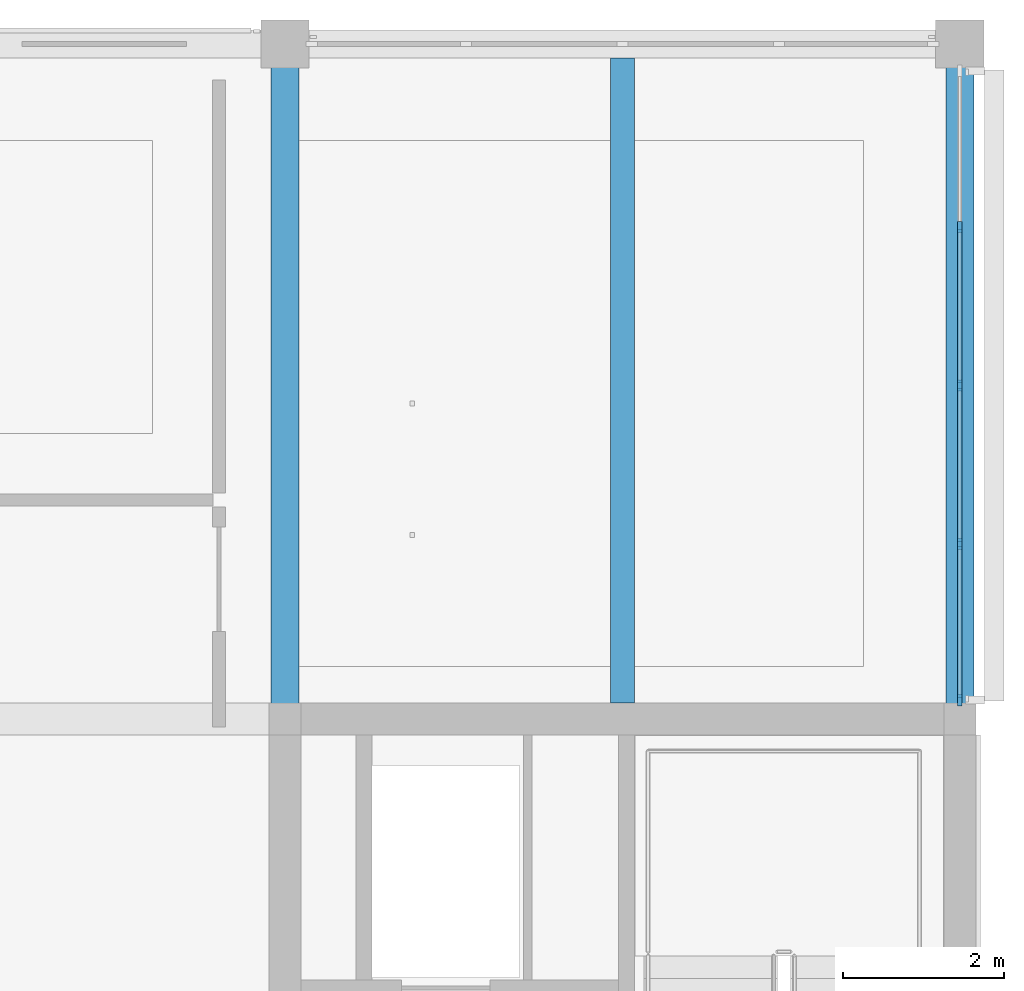
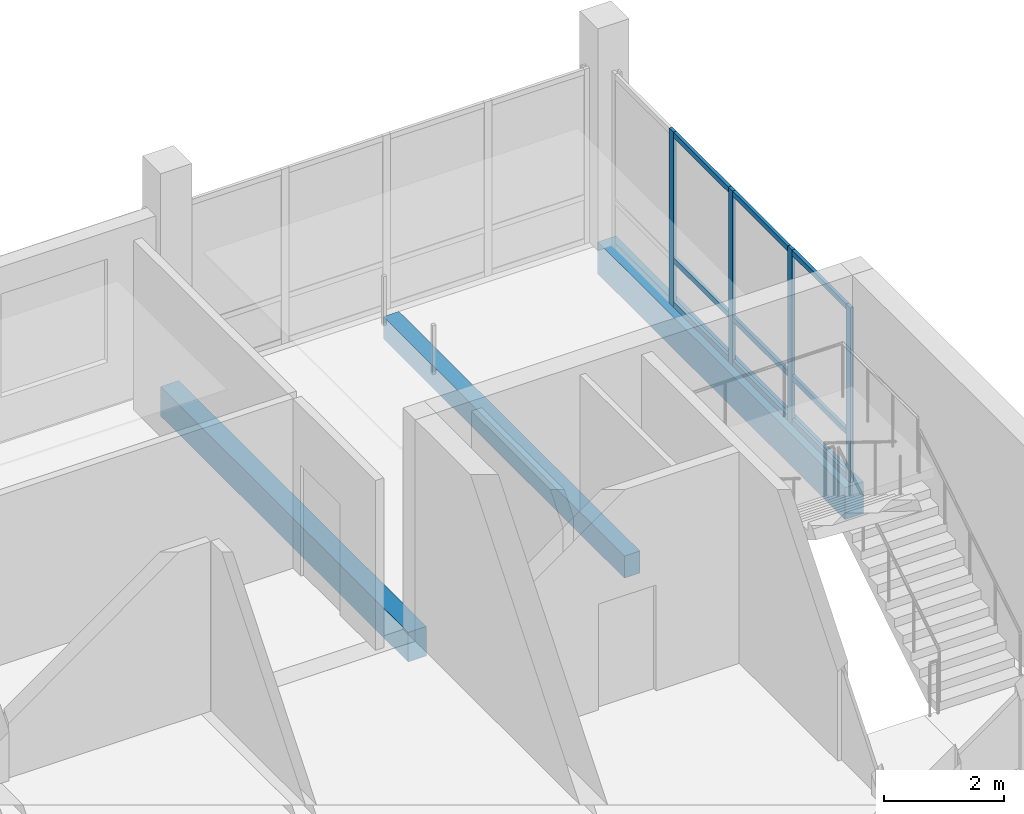
# One storey, part 7 of 29: 13 members, 3 beams, 1 element without a shape of its own.
"""IFC4 building model written with IfcOpenShell, lengths in metres."""

from ifc_helpers import new_model, si_unit, direction, frame, origin, origin_2d, place, context, subcontext, project, spatial, rectangle, extrude, material, layer, layer_set, material_profile, profile_set, type_object, element, aggregate, save


model = new_model("IFC4")

# Units and contexts
model_context = context("Model", 3, precision=1e-05, world=origin(), true_north=direction((0.0, 1.0)))
body_context = subcontext(model_context, "Body", "Model", "MODEL_VIEW")
ifc_project = project(units=[si_unit("LENGTHUNIT", "METRE"), si_unit("AREAUNIT", "SQUARE_METRE"), si_unit("VOLUMEUNIT", "CUBIC_METRE"), si_unit("PLANEANGLEUNIT", "RADIAN"), si_unit("MASSUNIT", "GRAM", prefix="KILO")], contexts=[model_context])

# Site, building, storey
site_placement = place(None, origin())
site = spatial("IfcSite", under=ifc_project, at=site_placement, CompositionType="ELEMENT")
building_placement = place(site_placement, origin())
building = spatial("IfcBuilding", under=site, at=building_placement, Name="Telukmera Botanical Conservatory", CompositionType="ELEMENT")
storey_placement = place(building_placement, frame((0.0, 0.0, 55.5)))
storey = spatial("IfcBuildingStorey", under=building, at=storey_placement, Name="L12", CompositionType="ELEMENT", Elevation=55.5)

# Beams
ifc_material_1 = material(Name="Concrete C40/50", Category="concrete")
ifc_material_profile_1 = material_profile(ifc_material_1, rectangle(XDim=0.300048828125, YDim=0.449951171875, at=origin_2d()), Name="RC 300x450")
ifc_profile_set_1 = profile_set([ifc_material_profile_1], Name="Concrete C40/50")
beam_type_1 = type_object("IfcBeamType", Name="Beam_B25", PredefinedType="JOIST", material=ifc_profile_set_1)
beam_1_placement = place(storey_placement, frame((96.60009765625, 34.60009765625, -0.22509765625), z_axis=(0.0, 1.0, 0.0), x_axis=(-1.0, 0.0, 0.0)))
element("IfcBeam", 1, at=beam_1_placement, inside=storey, type_object=beam_type_1, Name="Tower Secondary Floor Joist L12", PredefinedType="JOIST", context=body_context, shape_type="SweptSolid", body=[
    extrude(rectangle(XDim=0.300048828125, YDim=0.449951171875, at=origin_2d()), origin(), (0.0, 0.0, 1.0), 8.02490234375),
])
ifc_material_profile_2 = material_profile(ifc_material_1, rectangle(XDim=0.35009765625, YDim=0.60009765625, at=origin_2d()), Name="RC 350x600")
ifc_profile_set_2 = profile_set([ifc_material_profile_2], Name="Concrete C40/50")
beam_type_2 = type_object("IfcBeamType", Name="Beam_B9", PredefinedType="BEAM", material=ifc_profile_set_2)
beam_2_placement = place(storey_placement, frame((92.39990234375, 34.47998046875, -0.300048828125), z_axis=(0.0, 1.0, 0.0), x_axis=(-1.0, 0.0, 0.0)))
element("IfcBeam", 2, at=beam_2_placement, inside=storey, type_object=beam_type_2, Name="Tower Transverse Beam L12", PredefinedType="BEAM", context=body_context, shape_type="SweptSolid", body=[
    extrude(rectangle(XDim=0.35009765625, YDim=0.60009765625, at=origin_2d()), origin(), (0.0, 0.0, 1.0), 8.239990234375),
])
ifc_material_2 = material(Name="Precast concrete C40/50", Category="concrete")
ifc_material_profile_3 = material_profile(ifc_material_2, rectangle(XDim=0.35009765625, YDim=0.64990234375, at=origin_2d()), Name="PC 350x650")
ifc_profile_set_3 = profile_set([ifc_material_profile_3], Name="Precast concrete C40/50")
beam_type_3 = type_object("IfcBeamType", Name="Beam_SP3", PredefinedType="SPANDREL", material=ifc_profile_set_3)
beam_3_placement = place(storey_placement, frame((100.800048828125, 34.47998046875, -0.324951171875), z_axis=(0.0, 1.0, 0.0), x_axis=(-1.0, 0.0, 0.0)))
element("IfcBeam", 3, at=beam_3_placement, inside=storey, type_object=beam_type_3, Name="Tower Transverse Beam L12", PredefinedType="SPANDREL", context=body_context, shape_type="SweptSolid", body=[
    extrude(rectangle(XDim=0.35009765625, YDim=0.64990234375, at=origin_2d()), origin(), (0.0, 0.0, 1.0), 8.239990234375),
])

# Curtain wall, members
ifc_material_3 = material(Name="Anodised aluminium 6063-T6", Category="aluminium")
ifc_layer = layer(ifc_material_3, 0.179931640625)
ifc_layer_set = layer_set([ifc_layer], Name="Anodised aluminium 6063-T6")
curtain_wall_type = type_object("IfcCurtainWallType", Name="Tower Research Laboratory Unitised Curtain Wall", PredefinedType="USERDEFINED", material=ifc_layer_set)
curtain_wall_placement = place(storey_placement, origin())
curtain_wall = element("IfcCurtainWall", 4, at=curtain_wall_placement, inside=storey, type_object=curtain_wall_type, Name="Unitised Curtain Wall CW15 V4:L12:E4", ObjectType="UNITISED CURTAIN WALL", PredefinedType="USERDEFINED")
ifc_material_profile_4 = material_profile(ifc_material_3, rectangle(XDim=0.06005859375, YDim=0.139892578125, at=origin_2d()), Name="ALU MULL 60x140")
ifc_profile_set_4 = profile_set([ifc_material_profile_4], Name="Anodised aluminium 6063-T6")
member_type_1 = type_object("IfcMemberType", Name="Curtain Wall Extruded Mullion 60x140", PredefinedType="MULLION", material=ifc_profile_set_4)
member_1_placement = place(storey_placement, frame((100.800048828125, 34.632080078125, 0.0), z_axis=(0.0, 0.0, 1.0), x_axis=(-1.0, 0.0, 0.0)))
member_1 = element("IfcMember", 5, at=member_1_placement, type_object=member_type_1, Name="CW15 mullion 1", PredefinedType="MULLION", context=body_context, shape_type="SweptSolid", body=[
    extrude(rectangle(XDim=0.06005859375, YDim=0.139892578125, at=origin_2d()), origin(), (0.0, 0.0, 1.0), 3.550048828125),
])
member_2_placement = place(storey_placement, frame((100.800048828125, 36.575927734375, 0.0), z_axis=(0.0, 0.0, 1.0), x_axis=(-1.0, 0.0, 0.0)))
member_2 = element("IfcMember", 6, at=member_2_placement, type_object=member_type_1, Name="CW15 mullion 2", PredefinedType="MULLION", context=body_context, shape_type="SweptSolid", body=[
    extrude(rectangle(XDim=0.06005859375, YDim=0.139892578125, at=origin_2d()), origin(), (0.0, 0.0, 1.0), 3.550048828125),
])
member_3_placement = place(storey_placement, frame((100.800048828125, 38.550048828125, 0.0), z_axis=(0.0, 0.0, 1.0), x_axis=(-1.0, 0.0, 0.0)))
member_3 = element("IfcMember", 7, at=member_3_placement, type_object=member_type_1, Name="CW15 mullion 3", PredefinedType="MULLION", context=body_context, shape_type="SweptSolid", body=[
    extrude(rectangle(XDim=0.06005859375, YDim=0.139892578125, at=origin_2d()), origin(), (0.0, 0.0, 1.0), 3.550048828125),
])
member_4_placement = place(storey_placement, frame((100.800048828125, 40.52392578125, 0.0), z_axis=(0.0, 0.0, 1.0), x_axis=(-1.0, 0.0, 0.0)))
member_4 = element("IfcMember", 8, at=member_4_placement, type_object=member_type_1, Name="CW15 mullion 4", PredefinedType="MULLION", context=body_context, shape_type="SweptSolid", body=[
    extrude(rectangle(XDim=0.06005859375, YDim=0.139892578125, at=origin_2d()), origin(), (0.0, 0.0, 1.0), 3.550048828125),
])
ifc_material_profile_5 = material_profile(ifc_material_3, rectangle(XDim=0.06005859375, YDim=0.110107421875, at=origin_2d()), Name="ALU TRAN 60x110")
ifc_profile_set_5 = profile_set([ifc_material_profile_5], Name="Anodised aluminium 6063-T6")
member_type_2 = type_object("IfcMemberType", Name="Curtain Wall Extruded Transom 60x110", PredefinedType="USERDEFINED", material=ifc_profile_set_5)
member_5_placement = place(storey_placement, frame((100.800048828125, 34.662109375, 0.054931640625), z_axis=(0.0, 1.0, 0.0), x_axis=(-1.0, 0.0, 0.0)))
member_5 = element("IfcMember", 9, at=member_5_placement, type_object=member_type_2, Name="CW15 transom 1.1", ObjectType="TRANSOM", PredefinedType="USERDEFINED", context=body_context, shape_type="SweptSolid", body=[
    extrude(rectangle(XDim=0.06005859375, YDim=0.110107421875, at=origin_2d()), origin(), (0.0, 0.0, 1.0), 1.8837890625),
])
member_6_placement = place(storey_placement, frame((100.800048828125, 34.662109375, 0.949951171875), z_axis=(0.0, 1.0, 0.0), x_axis=(-1.0, 0.0, 0.0)))
member_6 = element("IfcMember", 10, at=member_6_placement, type_object=member_type_2, Name="CW15 transom 1.2", ObjectType="TRANSOM", PredefinedType="USERDEFINED", context=body_context, shape_type="SweptSolid", body=[
    extrude(rectangle(XDim=0.06005859375, YDim=0.110107421875, at=origin_2d()), origin(), (0.0, 0.0, 1.0), 1.8837890625),
])
member_7_placement = place(storey_placement, frame((100.800048828125, 34.662109375, 3.4951171875), z_axis=(0.0, 1.0, 0.0), x_axis=(-1.0, 0.0, 0.0)))
member_7 = element("IfcMember", 11, at=member_7_placement, type_object=member_type_2, Name="CW15 transom 1.3", ObjectType="TRANSOM", PredefinedType="USERDEFINED", context=body_context, shape_type="SweptSolid", body=[
    extrude(rectangle(XDim=0.06005859375, YDim=0.110107421875, at=origin_2d()), origin(), (0.0, 0.0, 1.0), 1.8837890625),
])
member_8_placement = place(storey_placement, frame((100.800048828125, 36.60595703125, 0.054931640625), z_axis=(0.0, 1.0, 0.0), x_axis=(-1.0, 0.0, 0.0)))
member_8 = element("IfcMember", 12, at=member_8_placement, type_object=member_type_2, Name="CW15 transom 2.1", ObjectType="TRANSOM", PredefinedType="USERDEFINED", context=body_context, shape_type="SweptSolid", body=[
    extrude(rectangle(XDim=0.06005859375, YDim=0.110107421875, at=origin_2d()), origin(), (0.0, 0.0, 1.0), 1.9140625),
])
member_9_placement = place(storey_placement, frame((100.800048828125, 36.60595703125, 0.949951171875), z_axis=(0.0, 1.0, 0.0), x_axis=(-1.0, 0.0, 0.0)))
member_9 = element("IfcMember", 13, at=member_9_placement, type_object=member_type_2, Name="CW15 transom 2.2", ObjectType="TRANSOM", PredefinedType="USERDEFINED", context=body_context, shape_type="SweptSolid", body=[
    extrude(rectangle(XDim=0.06005859375, YDim=0.110107421875, at=origin_2d()), origin(), (0.0, 0.0, 1.0), 1.9140625),
])
member_10_placement = place(storey_placement, frame((100.800048828125, 36.60595703125, 3.4951171875), z_axis=(0.0, 1.0, 0.0), x_axis=(-1.0, 0.0, 0.0)))
member_10 = element("IfcMember", 14, at=member_10_placement, type_object=member_type_2, Name="CW15 transom 2.3", ObjectType="TRANSOM", PredefinedType="USERDEFINED", context=body_context, shape_type="SweptSolid", body=[
    extrude(rectangle(XDim=0.06005859375, YDim=0.110107421875, at=origin_2d()), origin(), (0.0, 0.0, 1.0), 1.9140625),
])
member_11_placement = place(storey_placement, frame((100.800048828125, 38.580078125, 0.054931640625), z_axis=(0.0, 1.0, 0.0), x_axis=(-1.0, 0.0, 0.0)))
member_11 = element("IfcMember", 15, at=member_11_placement, type_object=member_type_2, Name="CW15 transom 3.1", ObjectType="TRANSOM", PredefinedType="USERDEFINED", context=body_context, shape_type="SweptSolid", body=[
    extrude(rectangle(XDim=0.06005859375, YDim=0.110107421875, at=origin_2d()), origin(), (0.0, 0.0, 1.0), 1.913818359375),
])
member_12_placement = place(storey_placement, frame((100.800048828125, 38.580078125, 0.949951171875), z_axis=(0.0, 1.0, 0.0), x_axis=(-1.0, 0.0, 0.0)))
member_12 = element("IfcMember", 16, at=member_12_placement, type_object=member_type_2, Name="CW15 transom 3.2", ObjectType="TRANSOM", PredefinedType="USERDEFINED", context=body_context, shape_type="SweptSolid", body=[
    extrude(rectangle(XDim=0.06005859375, YDim=0.110107421875, at=origin_2d()), origin(), (0.0, 0.0, 1.0), 1.913818359375),
])
member_13_placement = place(storey_placement, frame((100.800048828125, 38.580078125, 3.4951171875), z_axis=(0.0, 1.0, 0.0), x_axis=(-1.0, 0.0, 0.0)))
member_13 = element("IfcMember", 17, at=member_13_placement, type_object=member_type_2, Name="CW15 transom 3.3", ObjectType="TRANSOM", PredefinedType="USERDEFINED", context=body_context, shape_type="SweptSolid", body=[
    extrude(rectangle(XDim=0.06005859375, YDim=0.110107421875, at=origin_2d()), origin(), (0.0, 0.0, 1.0), 1.913818359375),
])
aggregate(curtain_wall, [member_1, member_2, member_3, member_4, member_5, member_6, member_7, member_8, member_9, member_10, member_11, member_12, member_13])

save(model, "model.ifc")
